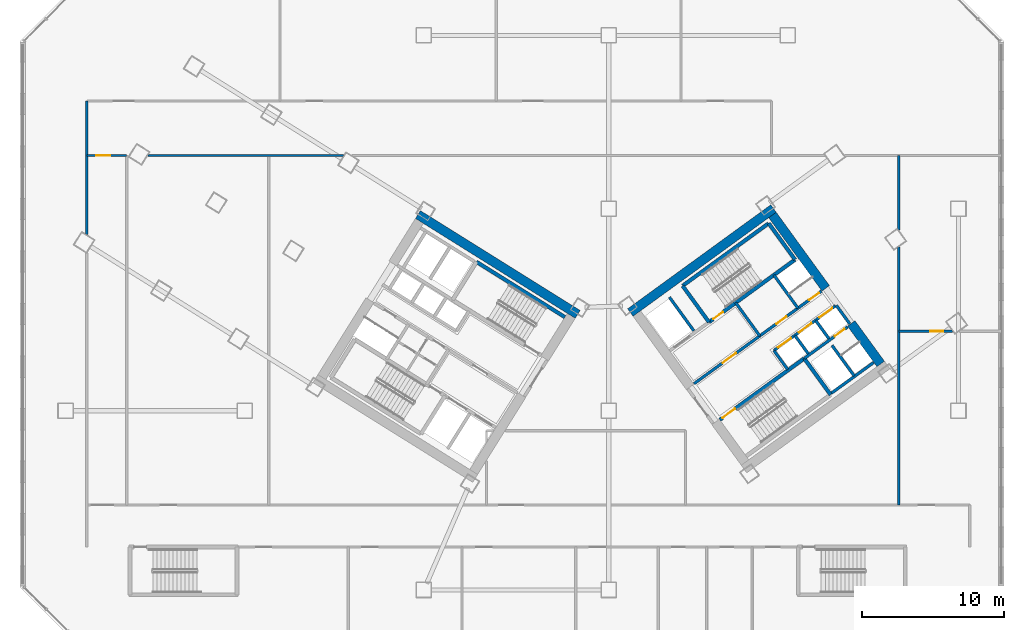
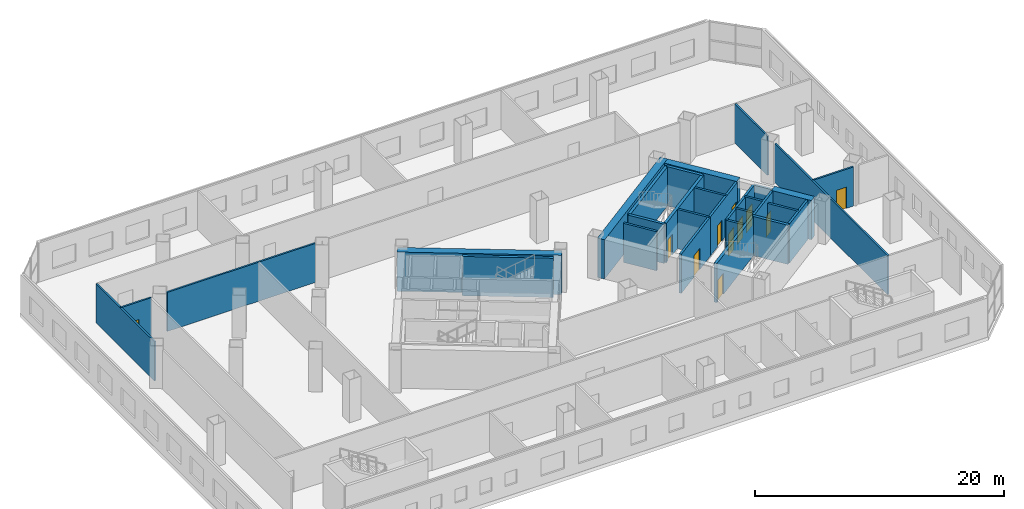
# One storey, part 13 of 22: 30 walls, 11 doors, 11 openings.
"""IFC4 building model written with IfcOpenShell, lengths in metres."""

import ifcopenshell
import ifcopenshell.guid

model = None  # the IFC model being written
_history = None  # IfcOwnerHistory: only IFC2X3 demands one
_inside = {}  # id of a spatial element -> (the spatial element, [elements in it])
_under = {}  # id of a project, library or spatial element -> (it, [spatial elements below it])
_declared = {}  # id of a project -> (the project, [libraries it declares])
_typed = {}  # id of a type object -> (the type object, [elements of that type])
_made_of = {}  # id of a material, layer set ... -> (it, [elements and type objects made of it])


def new_model(schema):
    """Start an empty IFC model of exactly this schema.

    Asked for "IFC4X3", IfcOpenShell would pick the latest addendum, in which some entities
    have other attributes; the version numbers below select the first issue.
    IFC2X3 requires an IfcOwnerHistory on every rooted entity: one is made here for all.
    """
    global model, _history
    if schema == "IFC4X3":
        model = ifcopenshell.file(schema_version=(4, 3, 0, 0))
    else:
        model = ifcopenshell.file(schema=schema)
    _inside.clear()
    _under.clear()
    _declared.clear()
    _typed.clear()
    _made_of.clear()
    _history = None
    if model.schema == "IFC2X3":
        org = make("IfcOrganization", Name="unknown")
        user = make(
            "IfcPersonAndOrganization",
            ThePerson=make("IfcPerson", FamilyName="unknown"),
            TheOrganization=org,
        )
        app = make(
            "IfcApplication",
            ApplicationDeveloper=org,
            Version="unknown",
            ApplicationFullName="unknown",
            ApplicationIdentifier="unknown",
        )
        _history = make(
            "IfcOwnerHistory",
            OwningUser=user,
            OwningApplication=app,
            ChangeAction="ADDED",
            CreationDate=0,
        )
    return model


def make(cls, **values):
    """One entity of the class cls with the attributes given. An attribute that is None is left unset."""
    return model.create_entity(
        cls, **{name: value for name, value in values.items() if value is not None}
    )


def rooted(cls, **values):
    """An entity with a GlobalId (a new one), such as an element, a storey or a relation."""
    return make(cls, GlobalId=ifcopenshell.guid.new(), OwnerHistory=_history, **values)


def si_unit(unit_type, name, prefix=None):
    """IfcSIUnit, for example si_unit("LENGTHUNIT", "METRE", prefix="MILLI")."""
    return make("IfcSIUnit", UnitType=unit_type, Prefix=prefix, Name=name)


def assignment(units):
    """IfcUnitAssignment: the units of a project."""
    return None if units is None else make("IfcUnitAssignment", Units=units)


def point(xyz):
    """IfcCartesianPoint."""
    return None if xyz is None else make("IfcCartesianPoint", Coordinates=xyz)


def direction(xyz):
    """IfcDirection."""
    return None if xyz is None else make("IfcDirection", DirectionRatios=xyz)


def frame(location, z_axis=None, x_axis=None):
    """IfcAxis2Placement3D, a coordinate frame: its origin and axes. An axis left out is left unset."""
    return make(
        "IfcAxis2Placement3D",
        Location=point(location),
        Axis=direction(z_axis),
        RefDirection=direction(x_axis),
    )


def frame_2d(location, x_axis=None):
    """IfcAxis2Placement2D, a coordinate frame in the plane: its origin and x axis."""
    return make(
        "IfcAxis2Placement2D", Location=point(location), RefDirection=direction(x_axis)
    )


def origin():
    """The frame at (0, 0, 0) with its axes left unset."""
    return frame((0.0, 0.0, 0.0))


def place(relative_to, where):
    """IfcLocalPlacement: puts the frame where relative to a parent placement (None: the world)."""
    return make(
        "IfcLocalPlacement", PlacementRelTo=relative_to, RelativePlacement=where
    )


def context(
    kind, dimensions, precision=None, world=None, true_north=None, identifier=None
):
    """IfcGeometricRepresentationContext, for example the 3D "Model" context."""
    return make(
        "IfcGeometricRepresentationContext",
        ContextIdentifier=identifier,
        ContextType=kind,
        CoordinateSpaceDimension=dimensions,
        Precision=precision,
        WorldCoordinateSystem=world,
        TrueNorth=true_north,
    )


def subcontext(parent, identifier, kind, view, scale=None):
    """IfcGeometricRepresentationSubContext, for example "Body" below "Model"."""
    return make(
        "IfcGeometricRepresentationSubContext",
        ContextIdentifier=identifier,
        ContextType=kind,
        ParentContext=parent,
        TargetScale=scale,
        TargetView=view,
    )


def project(units=None, contexts=None):
    """IfcProject with its units and contexts."""
    return rooted(
        "IfcProject",
        Name="project",
        RepresentationContexts=contexts,
        UnitsInContext=assignment(units),
    )


def spatial(cls, under=None, at=None, **own):
    """A site, building, storey or space (cls), placed at a placement, below another one or the project."""
    s = rooted(cls, ObjectPlacement=at, **own)
    if under is not None:
        _under.setdefault(under.id(), (under, []))[1].append(s)
    return s


def profile(cls, at=None, kind="AREA", **sizes):
    """A parametric profile (cls). Its sizes go by their IFC names, for example OverallWidth=200.0."""
    return make(cls, ProfileType=kind, Position=at, **sizes)


def rectangle(**sizes):
    """IfcRectangleProfileDef."""
    return profile("IfcRectangleProfileDef", **sizes)


def extrude(swept, where, along, depth):
    """IfcExtrudedAreaSolid: the profile swept, set in the frame where, extruded along a direction by depth."""
    return make(
        "IfcExtrudedAreaSolid",
        SweptArea=swept,
        Position=where,
        ExtrudedDirection=direction(along),
        Depth=depth,
    )


def shape(context_of_items, identifier, shape_type, items):
    """IfcShapeRepresentation: the items that make up one representation, for example the "Body"."""
    return make(
        "IfcShapeRepresentation",
        ContextOfItems=context_of_items,
        RepresentationIdentifier=identifier,
        RepresentationType=shape_type,
        Items=items,
    )


def source(mapping_origin, context_of_items, identifier, shape_type, items):
    """IfcRepresentationMap: a shape defined once, which mapped items show again and again."""
    return make(
        "IfcRepresentationMap",
        MappingOrigin=mapping_origin,
        MappedRepresentation=shape(context_of_items, identifier, shape_type, items),
    )


def transform(
    local_origin,
    x_axis=None,
    y_axis=None,
    z_axis=None,
    scale=None,
    scale2=None,
    scale3=None,
    uniform=True,
):
    """IfcCartesianTransformationOperator3D, or its non-uniform kind. x_axis, y_axis, z_axis: its Axis1, 2, 3."""
    if uniform:
        return make(
            "IfcCartesianTransformationOperator3D",
            Axis1=direction(x_axis),
            Axis2=direction(y_axis),
            LocalOrigin=point(local_origin),
            Scale=scale,
            Axis3=direction(z_axis),
        )
    return make(
        "IfcCartesianTransformationOperator3DnonUniform",
        Axis1=direction(x_axis),
        Axis2=direction(y_axis),
        LocalOrigin=point(local_origin),
        Scale=scale,
        Axis3=direction(z_axis),
        Scale2=scale2,
        Scale3=scale3,
    )


def mapped(mapping_source, mapping_target):
    """IfcMappedItem: shows the shape of a source again, moved by a transform."""
    return make(
        "IfcMappedItem", MappingSource=mapping_source, MappingTarget=mapping_target
    )


def material(Name=None, Category=None):
    """IfcMaterial."""
    return make("IfcMaterial", Name=Name, Category=Category)


def layer(
    of_material, thickness, ventilated=None, Name=None, Category=None, Priority=None
):
    """IfcMaterialLayer: one layer of a wall or slab, of a material (None: an air gap)."""
    return make(
        "IfcMaterialLayer",
        Material=of_material,
        LayerThickness=thickness,
        IsVentilated=ventilated,
        Name=Name,
        Category=Category,
        Priority=Priority,
    )


def layer_set(layers, Name=None):
    """IfcMaterialLayerSet."""
    return make("IfcMaterialLayerSet", MaterialLayers=layers, LayerSetName=Name)


def made_of(thing, what):
    """Note that an element or type object is made of a material, layer set ...; save() writes the relation."""
    if what is not None:
        _made_of.setdefault(what.id(), (what, []))[1].append(thing)
    return thing


def type_object(cls, material=None, **own):
    """A type object (cls), such as IfcWallType, which elements share."""
    return made_of(rooted(cls, **own), material)


def element(
    cls,
    number,
    at=None,
    inside=None,
    cuts=None,
    type_object=None,
    material=None,
    context=None,
    identifier="Body",
    shape_type=None,
    held_by="IfcProductDefinitionShape",
    body=None,
    shapes=None,
    **own,
):
    """One element of the class cls, such as IfcWall. Its Tag is "e" and its number.

    at: its placement. inside: the storey or other place that contains it. cuts: it is an
    opening in that element (IfcRelVoidsElement). A single representation is given by context,
    identifier, shape_type and body (its items); several are given by shapes. held_by: the class
    of the entity that holds the representations. save() writes the other relations.
    """
    e = rooted(cls, Tag="e%d" % number, ObjectPlacement=at, **own)
    if body is not None:
        shapes = [shape(context, identifier, shape_type, body)]
    if shapes is not None:
        e.Representation = make(held_by, Representations=shapes)
    if inside is not None:
        _inside.setdefault(inside.id(), (inside, []))[1].append(e)
    if cuts is not None:
        rooted(
            "IfcRelVoidsElement", RelatingBuildingElement=cuts, RelatedOpeningElement=e
        )
    if type_object is not None:
        _typed.setdefault(type_object.id(), (type_object, []))[1].append(e)
    return made_of(e, material)


def fill(opening, filler):
    """IfcRelFillsElement: the door or window that sits in an opening."""
    return rooted(
        "IfcRelFillsElement",
        RelatingOpeningElement=opening,
        RelatedBuildingElement=filler,
    )


def aggregate(whole, parts):
    """IfcRelAggregates: a whole, such as a stair, and the parts it consists of."""
    return rooted("IfcRelAggregates", RelatingObject=whole, RelatedObjects=parts)


def save(model, path):
    """Write the relations noted so far, then the file.

    IfcRelAggregates (storeys below a building ...), IfcRelContainedInSpatialStructure (elements
    in a storey), IfcRelDefinesByType, IfcRelAssociatesMaterial and IfcRelDeclares: one each for
    every whole, place, type object, material and project.
    """
    for whole, parts in _under.values():
        aggregate(whole, parts)
    for where, things in _inside.values():
        rooted(
            "IfcRelContainedInSpatialStructure",
            RelatedElements=things,
            RelatingStructure=where,
        )
    for kind, things in _typed.values():
        rooted("IfcRelDefinesByType", RelatedObjects=things, RelatingType=kind)
    for what, things in _made_of.values():
        rooted("IfcRelAssociatesMaterial", RelatedObjects=things, RelatingMaterial=what)
    for by, libraries in _declared.values():
        rooted("IfcRelDeclares", RelatingContext=by, RelatedDefinitions=libraries)
    model.write(path)


model = new_model("IFC4")

# Units and contexts
model_context = context("Model", 3, precision=1e-05, world=origin(), true_north=direction((0.0, 1.0)))
body_context = subcontext(model_context, "Body", "Model", "MODEL_VIEW")
ifc_project = project(units=[si_unit("LENGTHUNIT", "METRE"), si_unit("AREAUNIT", "SQUARE_METRE"), si_unit("VOLUMEUNIT", "CUBIC_METRE"), si_unit("PLANEANGLEUNIT", "RADIAN"), si_unit("MASSUNIT", "GRAM", prefix="KILO")], contexts=[model_context])

# Site, building, storey
site_placement = place(None, origin())
site = spatial("IfcSite", under=ifc_project, at=site_placement, CompositionType="ELEMENT")
building_placement = place(site_placement, origin())
building = spatial("IfcBuilding", under=site, at=building_placement, Name="Tlacorven Tower", CompositionType="ELEMENT")
storey_placement = place(building_placement, frame((0.0, 0.0, 14.39990234375)))
storey = spatial("IfcBuildingStorey", under=building, at=storey_placement, Name="L03", CompositionType="ELEMENT", Elevation=14.39990234375)

# Walls
ifc_material_1 = material(Name="Concrete C60/75", Category="concrete")
ifc_layer_1 = layer(ifc_material_1, 0.64990234375)
ifc_layer_set_1 = layer_set([ifc_layer_1], Name="Concrete C60/75")
wall_type_1 = type_object("IfcWallType", Name="WL-COR-650", PredefinedType="SHEAR", material=ifc_layer_set_1)
wall_1_placement = place(storey_placement, frame((40.615478515625, 23.9833984375, 0.0), z_axis=(0.0, 0.0, 1.0), x_axis=(-0.848045953968, 0.529922692436, 0.0)))
element("IfcWall", 1, at=wall_1_placement, inside=storey, type_object=wall_type_1, Name="L03 W core shear wall S1", PredefinedType="SHEAR", context=body_context, shape_type="SweptSolid", body=[
    extrude(rectangle(XDim=13.239990234375, YDim=0.64990234375, at=frame_2d((6.6201171875, 0.0))), origin(), (0.0, 0.0, 1.0), 3.85009765625),
])
wall_2_placement = place(storey_placement, frame((44.32470703125, 24.113037109375, 0.0), z_axis=(0.0, 0.0, 1.0), x_axis=(0.809012664862, 0.58779121131, 0.0)))
element("IfcWall", 2, at=wall_2_placement, inside=storey, type_object=wall_type_1, Name="L03 E core shear wall S2", PredefinedType="SHEAR", context=body_context, shape_type="SweptSolid", body=[
    extrude(rectangle(XDim=12.439697265625, YDim=0.64990234375, at=frame_2d((6.2197265625, 0.0))), origin(), (0.0, 0.0, 1.0), 3.85009765625),
])
wall_3_placement = place(storey_placement, frame((61.9287109375, 20.494384765625, 0.0), z_axis=(0.0, 0.0, 1.0), x_axis=(-0.58782982593, 0.808984607855, 0.0)))
element("IfcWall", 3, at=wall_3_placement, inside=storey, type_object=wall_type_1, Name="L03 E core end wall E2.1", PredefinedType="SHEAR", context=body_context, shape_type="SweptSolid", body=[
    extrude(rectangle(XDim=3.52490234375, YDim=0.64990234375, at=frame_2d((1.762451171875, 0.0))), origin(), (0.0, 0.0, 1.0), 3.85009765625),
])
wall_4_placement = place(storey_placement, frame((58.06396484375, 25.8134765625, 0.0), z_axis=(0.0, 0.0, 1.0), x_axis=(-0.58777996584, 0.809020835181, 0.0)))
element("IfcWall", 4, at=wall_4_placement, inside=storey, type_object=wall_type_1, Name="L03 E core end wall E2.2", PredefinedType="SHEAR", context=body_context, shape_type="SweptSolid", body=[
    extrude(rectangle(XDim=6.375, YDim=0.64990234375, at=frame_2d((3.1875, 0.0))), origin(), (0.0, 0.0, 1.0), 3.85009765625),
])
ifc_material_2 = material(Name="Gypsum plasterboard acoustic partition", Category="gypsum")
ifc_layer_2 = layer(ifc_material_2, 0.159912109375)
ifc_layer_set_2 = layer_set([ifc_layer_2], Name="Gypsum plasterboard acoustic partition")
wall_type_2 = type_object("IfcWallType", Name="WL-DEM-160", PredefinedType="PARTITIONING", material=ifc_layer_set_2)
wall_5_placement = place(storey_placement, frame((6.10009765625, 29.58740234375, 0.0), z_axis=(0.0, 0.0, 1.0), x_axis=(0.0, 1.0, 0.0)))
element("IfcWall", 5, at=wall_5_placement, inside=storey, type_object=wall_type_2, Name="L03 partition 75", PredefinedType="PARTITIONING", context=body_context, shape_type="SweptSolid", body=[
    extrude(rectangle(XDim=9.41259765625, YDim=0.159912109375, at=frame_2d((4.706298828125, 0.0))), origin(), (0.0, 0.0, 1.0), 3.840087890625),
])
wall_6_placement = place(storey_placement, frame((10.386474609375, 35.14990234375, 0.0), z_axis=(0.0, 0.0, 1.0), x_axis=(1.0, 0.0, 0.0)))
element("IfcWall", 6, at=wall_6_placement, inside=storey, type_object=wall_type_2, Name="L03 partition 77", PredefinedType="PARTITIONING", context=body_context, shape_type="SweptSolid", body=[
    extrude(rectangle(XDim=13.76806640625, YDim=0.159912109375, at=frame_2d((6.884033203125, 0.0))), origin(), (0.0, 0.0, 1.0), 3.840087890625),
])

# Wall, opening, door
wall_7_placement = place(storey_placement, frame((6.10009765625, 35.14990234375, 0.0), z_axis=(0.0, 0.0, 1.0), x_axis=(1.0, 0.0, 0.0)))
wall_7 = element("IfcWall", 7, at=wall_7_placement, inside=storey, type_object=wall_type_2, Name="L03 partition 80", PredefinedType="PARTITIONING", context=body_context, shape_type="SweptSolid", body=[
    extrude(rectangle(XDim=2.7998046875, YDim=0.159912109375, at=frame_2d((1.39990234375, 0.0))), origin(), (0.0, 0.0, 1.0), 3.840087890625),
])
opening_1_placement = place(wall_7_placement, frame((0.64990234375, 0.0, 0.0)))
opening_1 = element("IfcOpeningElement", 8, at=opening_1_placement, cuts=wall_7, Name="Opening D11", PredefinedType="OPENING", context=body_context, shape_type="SweptSolid", body=[
    extrude(rectangle(XDim=1.0, YDim=2.10009765625, at=frame_2d((0.5, 1.050048828125))), frame((0.0, 0.08984375, 0.0), z_axis=(0.0, -1.0, 0.0), x_axis=(1.0, 0.0, 0.0)), (0.0, 0.0, 1.0), 0.179931640625),
])
ifc_material_3 = material(Name="Fire-rated steel door assembly", Category="steel")
door_type_1 = type_object("IfcDoorType", Name="DR-FLT-FD60-1000", OperationType="NOTDEFINED", PredefinedType="DOOR", material=ifc_material_3)
shared_shape_1 = source(origin(), body_context, "Body", "SweptSolid", [
    extrude(rectangle(XDim=1.0, YDim=2.10009765625, at=frame_2d((0.5, 1.050048828125))), frame((0.0, 0.02490234375, 0.0), z_axis=(0.0, -1.0, 0.0), x_axis=(1.0, 0.0, 0.0)), (0.0, 0.0, 1.0), 0.050048828125),
])
door_1_placement = place(opening_1_placement, origin())
door_1 = element("IfcDoor", 9, at=door_1_placement, inside=storey, type_object=door_type_1, Name="L03 door 034", OperationType="SINGLE_SWING_RIGHT", OverallHeight=2.10009765625, OverallWidth=1.0, PredefinedType="DOOR", context=body_context, shape_type="MappedRepresentation", body=[
    mapped(shared_shape_1, transform((0.0, 0.0, 0.0), scale=1.0)),
])
fill(opening_1, door_1)

# Walls
wall_8_placement = place(storey_placement, frame((63.199951171875, 10.580078125, 0.0), z_axis=(0.0, 0.0, 1.0), x_axis=(0.0, 1.0, 0.0)))
element("IfcWall", 10, at=wall_8_placement, inside=storey, type_object=wall_type_2, Name="L03 partition 85", PredefinedType="PARTITIONING", context=body_context, shape_type="SweptSolid", body=[
    extrude(rectangle(XDim=18.146728515625, YDim=0.159912109375, at=frame_2d((9.0732421875, 0.0))), origin(), (0.0, 0.0, 1.0), 3.840087890625),
])
wall_9_placement = place(storey_placement, frame((63.199951171875, 29.908447265625, 0.0), z_axis=(0.0, 0.0, 1.0), x_axis=(0.0, 1.0, 0.0)))
element("IfcWall", 11, at=wall_9_placement, inside=storey, type_object=wall_type_2, Name="L03 partition 85", PredefinedType="PARTITIONING", context=body_context, shape_type="SweptSolid", body=[
    extrude(rectangle(XDim=5.241455078125, YDim=0.159912109375, at=frame_2d((2.62060546875, 0.0))), origin(), (0.0, 0.0, 1.0), 3.840087890625),
])

# Wall, opening, door
wall_10_placement = place(storey_placement, frame((63.199951171875, 22.800048828125, 0.0), z_axis=(0.0, 0.0, 1.0), x_axis=(1.0, 0.0, 0.0)))
wall_10 = element("IfcWall", 12, at=wall_10_placement, inside=storey, type_object=wall_type_2, Name="L03 partition 88", PredefinedType="PARTITIONING", context=body_context, shape_type="SweptSolid", body=[
    extrude(rectangle(XDim=3.775390625, YDim=0.159912109375, at=frame_2d((1.8876953125, 0.0))), origin(), (0.0, 0.0, 1.0), 3.840087890625),
])
opening_2_placement = place(wall_10_placement, frame((2.199951171875, 0.0, 0.0)))
opening_2 = element("IfcOpeningElement", 13, at=opening_2_placement, cuts=wall_10, Name="Opening D12", PredefinedType="OPENING", context=body_context, shape_type="SweptSolid", body=[
    extrude(rectangle(XDim=0.919921875, YDim=2.080078125, at=frame_2d((0.4599609375, 1.0400390625))), frame((0.0, 0.08984375, 0.0), z_axis=(0.0, -1.0, 0.0), x_axis=(1.0, 0.0, 0.0)), (0.0, 0.0, 1.0), 0.179931640625),
])
ifc_material_4 = material(Name="Powder-coated aluminium and timber door", Category="wood")
door_type_2 = type_object("IfcDoorType", Name="DR-INT-ROOM-0920", OperationType="NOTDEFINED", PredefinedType="DOOR", material=ifc_material_4)
shared_shape_2 = source(origin(), body_context, "Body", "SweptSolid", [
    extrude(rectangle(XDim=0.919921875, YDim=2.080078125, at=frame_2d((0.4599609375, 1.0400390625))), frame((0.0, 0.02490234375, 0.0), z_axis=(0.0, -1.0, 0.0), x_axis=(1.0, 0.0, 0.0)), (0.0, 0.0, 1.0), 0.050048828125),
])
door_2_placement = place(opening_2_placement, origin())
door_2 = element("IfcDoor", 14, at=door_2_placement, inside=storey, type_object=door_type_2, Name="L03 door 041", OperationType="SINGLE_SWING_LEFT", OverallHeight=2.080078125, OverallWidth=0.919921875, PredefinedType="DOOR", context=body_context, shape_type="MappedRepresentation", body=[
    mapped(shared_shape_2, transform((0.0, 0.0, 0.0), scale=1.0)),
])
fill(opening_2, door_2)

ifc_material_5 = material(Name="Concrete C40/50", Category="concrete")
ifc_layer_3 = layer(ifc_material_5, 0.199951171875)
ifc_layer_set_3 = layer_set([ifc_layer_3], Name="Concrete C40/50")
wall_type_3 = type_object("IfcWallType", Name="WL-SHF-200", PredefinedType="STANDARD", material=ifc_layer_set_3)
wall_11_placement = place(storey_placement, frame((48.798828125, 19.106689453125, 0.0), z_axis=(0.0, 0.0, 1.0), x_axis=(0.809012959416, 0.587790805897, 0.0)))
wall_11 = element("IfcWall", 15, at=wall_11_placement, inside=storey, type_object=wall_type_3, Name="L03 Core E Smoke Lobby Wall", PredefinedType="STANDARD", context=body_context, shape_type="SweptSolid", body=[
    extrude(rectangle(XDim=5.7177734375, YDim=0.199951171875, at=frame_2d((2.85888671875, 0.0))), origin(), (0.0, 0.0, 1.0), 3.840087890625),
])
opening_3_placement = place(wall_11_placement, frame((2.498046875, 0.0, 0.0)))
opening_3 = element("IfcOpeningElement", 16, at=opening_3_placement, cuts=wall_11, Name="Opening D09", PredefinedType="OPENING", context=body_context, shape_type="SweptSolid", body=[
    extrude(rectangle(XDim=1.14990234375, YDim=2.10009765625, at=frame_2d((0.574951171875, 1.050048828125))), frame((0.0, 0.10986328125, 0.0), z_axis=(0.0, -1.0, 0.0), x_axis=(1.0, 0.0, 0.0)), (0.0, 0.0, 1.0), 0.219970703125),
])
door_type_3 = type_object("IfcDoorType", Name="DR-FFL-FD60-1150", OperationType="NOTDEFINED", PredefinedType="DOOR", material=ifc_material_3)
shared_shape_3 = source(origin(), body_context, "Body", "SweptSolid", [
    extrude(rectangle(XDim=1.14990234375, YDim=2.10009765625, at=frame_2d((0.574951171875, 1.050048828125))), frame((0.0, 0.02490234375, 0.0), z_axis=(0.0, -1.0, 0.0), x_axis=(1.0, 0.0, 0.0)), (0.0, 0.0, 1.0), 0.050048828125),
])
door_3_placement = place(opening_3_placement, origin())
door_3 = element("IfcDoor", 17, at=door_3_placement, inside=storey, type_object=door_type_3, Name="L03 Firefighting Lobby E Fire Door", OperationType="SINGLE_SWING_LEFT", OverallHeight=2.10009765625, OverallWidth=1.14990234375, PredefinedType="DOOR", context=body_context, shape_type="MappedRepresentation", body=[
    mapped(shared_shape_3, transform((0.0, 0.0, 0.0), scale=1.0)),
])
fill(opening_3, door_3)

wall_12_placement = place(storey_placement, frame((56.552978515625, 20.884033203125, 0.0), z_axis=(0.0, 0.0, 1.0), x_axis=(0.809035789462, 0.587759382205, 0.0)))
wall_12 = element("IfcWall", 18, at=wall_12_placement, inside=storey, type_object=wall_type_3, Name="L03 Core E South Lift Shaft Wall", PredefinedType="STANDARD", context=body_context, shape_type="SweptSolid", body=[
    extrude(rectangle(XDim=3.767822265625, YDim=0.199951171875, at=frame_2d((1.8837890625, 0.0))), origin(), (0.0, 0.0, 1.0), 3.840087890625),
])
opening_4_placement = place(wall_12_placement, frame((2.64990234375, 0.0, 0.0)))
opening_4 = element("IfcOpeningElement", 19, at=opening_4_placement, cuts=wall_12, Name="Opening D19", PredefinedType="OPENING", context=body_context, shape_type="SweptSolid", body=[
    extrude(rectangle(XDim=0.860107421875, YDim=2.050048828125, at=frame_2d((0.43017578125, 1.02490234375))), frame((0.0, 0.10986328125, 0.0), z_axis=(0.0, -1.0, 0.0), x_axis=(1.0, 0.0, 0.0)), (0.0, 0.0, 1.0), 0.219970703125),
])
door_type_4 = type_object("IfcDoorType", Name="DR-RSR-FD60-0860", OperationType="NOTDEFINED", PredefinedType="DOOR", material=ifc_material_3)
shared_shape_4 = source(origin(), body_context, "Body", "SweptSolid", [
    extrude(rectangle(XDim=0.860107421875, YDim=2.050048828125, at=frame_2d((0.43017578125, 1.02490234375))), frame((0.0, 0.02490234375, 0.0), z_axis=(0.0, -1.0, 0.0), x_axis=(1.0, 0.0, 0.0)), (0.0, 0.0, 1.0), 0.050048828125),
])
door_4_placement = place(opening_4_placement, origin())
door_4 = element("IfcDoor", 20, at=door_4_placement, inside=storey, type_object=door_type_4, Name="L03 Smoke Extract Riser Access Door", OperationType="SINGLE_SWING_RIGHT", OverallHeight=2.050048828125, OverallWidth=0.860107421875, PredefinedType="DOOR", context=body_context, shape_type="MappedRepresentation", body=[
    mapped(shared_shape_4, transform((0.0, 0.0, 0.0), scale=1.0)),
])
fill(opening_4, door_4)

# Wall, openings, doors
wall_13_placement = place(storey_placement, frame((54.421142578125, 21.436279296875, 0.0), z_axis=(0.0, 0.0, 1.0), x_axis=(0.809013710463, 0.587789772183, 0.0)))
wall_13 = element("IfcWall", 21, at=wall_13_placement, inside=storey, type_object=wall_type_3, Name="L03 partition 39", PredefinedType="STANDARD", context=body_context, shape_type="SweptSolid", body=[
    extrude(rectangle(XDim=5.360107421875, YDim=0.199951171875, at=frame_2d((2.68017578125, 0.0))), origin(), (0.0, 0.0, 1.0), 3.840087890625),
])
opening_5_placement = place(wall_13_placement, frame((0.3701171875, 0.0, 0.0)))
opening_5 = element("IfcOpeningElement", 22, at=opening_5_placement, cuts=wall_13, Name="Opening LD01", PredefinedType="OPENING", context=body_context, shape_type="SweptSolid", body=[
    extrude(rectangle(XDim=1.10009765625, YDim=2.14990234375, at=frame_2d((0.550048828125, 1.074951171875))), frame((0.0, 0.10986328125, 0.0), z_axis=(0.0, -1.0, 0.0), x_axis=(1.0, 0.0, 0.0)), (0.0, 0.0, 1.0), 0.219970703125),
])
opening_6_placement = place(wall_13_placement, frame((2.169921875, 0.0, 0.0)))
opening_6 = element("IfcOpeningElement", 23, at=opening_6_placement, cuts=wall_13, Name="Opening LD01", PredefinedType="OPENING", context=body_context, shape_type="SweptSolid", body=[
    extrude(rectangle(XDim=1.10009765625, YDim=2.14990234375, at=frame_2d((0.550048828125, 1.074951171875))), frame((0.0, 0.10986328125, 0.0), z_axis=(0.0, -1.0, 0.0), x_axis=(1.0, 0.0, 0.0)), (0.0, 0.0, 1.0), 0.219970703125),
])
opening_7_placement = place(wall_13_placement, frame((3.969970703125, 0.0, 0.0)))
opening_7 = element("IfcOpeningElement", 24, at=opening_7_placement, cuts=wall_13, Name="Opening LD01", PredefinedType="OPENING", context=body_context, shape_type="SweptSolid", body=[
    extrude(rectangle(XDim=1.10009765625, YDim=2.14990234375, at=frame_2d((0.550048828125, 1.074951171875))), frame((0.0, 0.10986328125, 0.0), z_axis=(0.0, -1.0, 0.0), x_axis=(1.0, 0.0, 0.0)), (0.0, 0.0, 1.0), 0.219970703125),
])
door_type_5 = type_object("IfcDoorType", Name="DR-LFT-SLID-1100", OperationType="DOUBLE_DOOR_SLIDING", PredefinedType="DOOR", material=ifc_material_3)
shared_shape_5 = source(origin(), body_context, "Body", "SweptSolid", [
    extrude(rectangle(XDim=1.10009765625, YDim=2.14990234375, at=frame_2d((0.550048828125, 1.074951171875))), frame((0.0, 0.02490234375, 0.0), z_axis=(0.0, -1.0, 0.0), x_axis=(1.0, 0.0, 0.0)), (0.0, 0.0, 1.0), 0.050048828125),
])
door_5_placement = place(opening_5_placement, origin())
door_5 = element("IfcDoor", 25, at=door_5_placement, inside=storey, type_object=door_type_5, Name="L03 Lift PL-L1 Sliding Landing Door", OperationType="DOUBLE_DOOR_SLIDING", OverallHeight=2.14990234375, OverallWidth=1.10009765625, PredefinedType="DOOR", context=body_context, shape_type="MappedRepresentation", body=[
    mapped(shared_shape_5, transform((0.0, 0.0, 0.0), scale=1.0)),
])
fill(opening_5, door_5)
door_6_placement = place(opening_6_placement, origin())
door_6 = element("IfcDoor", 26, at=door_6_placement, inside=storey, type_object=door_type_5, Name="L03 Lift PL-L2 Sliding Landing Door", OperationType="DOUBLE_DOOR_SLIDING", OverallHeight=2.14990234375, OverallWidth=1.10009765625, PredefinedType="DOOR", context=body_context, shape_type="MappedRepresentation", body=[
    mapped(shared_shape_5, transform((0.0, 0.0, 0.0), scale=1.0)),
])
fill(opening_6, door_6)
door_7_placement = place(opening_7_placement, origin())
door_7 = element("IfcDoor", 27, at=door_7_placement, inside=storey, type_object=door_type_5, Name="L03 Lift PL-L3 Sliding Landing Door", OperationType="DOUBLE_DOOR_SLIDING", OverallHeight=2.14990234375, OverallWidth=1.10009765625, PredefinedType="DOOR", context=body_context, shape_type="MappedRepresentation", body=[
    mapped(shared_shape_5, transform((0.0, 0.0, 0.0), scale=1.0)),
])
fill(opening_7, door_7)

# Walls
wall_14_placement = place(storey_placement, frame((55.390869140625, 20.1015625, 0.0), z_axis=(0.0, 0.0, 1.0), x_axis=(-0.58778447739, 0.809017557374, 0.0)))
element("IfcWall", 28, at=wall_14_placement, inside=storey, type_object=wall_type_3, Name="L03 partition 40", PredefinedType="STANDARD", context=body_context, shape_type="SweptSolid", body=[
    extrude(rectangle(XDim=1.64990234375, YDim=0.199951171875, at=frame_2d((0.824951171875, 0.0))), origin(), (0.0, 0.0, 1.0), 3.840087890625),
])
wall_15_placement = place(storey_placement, frame((48.78564453125, 22.830078125, 0.0), z_axis=(0.0, 0.0, 1.0), x_axis=(-0.587783856777, 0.809018008275, 0.0)))
element("IfcWall", 29, at=wall_15_placement, inside=storey, type_object=wall_type_3, Name="L03 partition 41", PredefinedType="STANDARD", context=body_context, shape_type="SweptSolid", body=[
    extrude(rectangle(XDim=2.919921875, YDim=0.199951171875, at=frame_2d((1.4599609375, 0.0))), origin(), (0.0, 0.0, 1.0), 3.840087890625),
])
wall_16_placement = place(storey_placement, frame((56.833984375, 21.211669921875, 0.0), z_axis=(0.0, 0.0, 1.0), x_axis=(-0.58776738483, 0.809029975545, 0.0)))
element("IfcWall", 30, at=wall_16_placement, inside=storey, type_object=wall_type_3, Name="L03 partition 42", PredefinedType="STANDARD", context=body_context, shape_type="SweptSolid", body=[
    extrude(rectangle(XDim=1.580078125, YDim=0.199951171875, at=frame_2d((0.7900390625, 0.0))), origin(), (0.0, 0.0, 1.0), 3.840087890625),
])
wall_17_placement = place(storey_placement, frame((58.290283203125, 22.269775390625, 0.0), z_axis=(0.0, 0.0, 1.0), x_axis=(-0.587840865826, 0.808976585857, 0.0)))
element("IfcWall", 31, at=wall_17_placement, inside=storey, type_object=wall_type_3, Name="L03 partition 43", PredefinedType="STANDARD", context=body_context, shape_type="SweptSolid", body=[
    extrude(rectangle(XDim=1.579833984375, YDim=0.199951171875, at=frame_2d((0.7900390625, 0.0))), origin(), (0.0, 0.0, 1.0), 3.840087890625),
])
wall_18_placement = place(storey_placement, frame((59.75830078125, 23.3115234375, 0.0), z_axis=(0.0, 0.0, 1.0), x_axis=(-0.587875962906, 0.808951081486, 0.0)))
element("IfcWall", 32, at=wall_18_placement, inside=storey, type_object=wall_type_3, Name="L03 partition 44", PredefinedType="STANDARD", context=body_context, shape_type="SweptSolid", body=[
    extrude(rectangle(XDim=1.6201171875, YDim=0.199951171875, at=frame_2d((0.81005859375, 0.0))), origin(), (0.0, 0.0, 1.0), 3.840087890625),
])
wall_19_placement = place(storey_placement, frame((60.066650390625, 19.654541015625, 0.0), z_axis=(0.0, 0.0, 1.0), x_axis=(-0.587800520745, 0.809005900975, 0.0)))
element("IfcWall", 33, at=wall_19_placement, inside=storey, type_object=wall_type_3, Name="L03 partition 45", PredefinedType="STANDARD", context=body_context, shape_type="SweptSolid", body=[
    extrude(rectangle(XDim=2.659912109375, YDim=0.199951171875, at=frame_2d((1.330078125, 0.0))), origin(), (0.0, 0.0, 1.0), 3.840087890625),
])
wall_20_placement = place(storey_placement, frame((58.47216796875, 18.446533203125, 0.0), z_axis=(0.0, 0.0, 1.0), x_axis=(0.809022487728, 0.587777691266, 0.0)))
element("IfcWall", 34, at=wall_20_placement, inside=storey, type_object=wall_type_3, Name="L03 partition 47", PredefinedType="STANDARD", context=body_context, shape_type="SweptSolid", body=[
    extrude(rectangle(XDim=3.648193359375, YDim=0.199951171875, at=frame_2d((1.82421875, 0.0))), origin(), (0.0, 0.0, 1.0), 3.840087890625),
])
wall_21_placement = place(storey_placement, frame((53.424560546875, 22.467529296875, 0.0), z_axis=(0.0, 0.0, 1.0), x_axis=(-0.5877230039, 0.809062216821, 0.0)))
element("IfcWall", 35, at=wall_21_placement, inside=storey, type_object=wall_type_3, Name="L03 partition 49", PredefinedType="STANDARD", context=body_context, shape_type="SweptSolid", body=[
    extrude(rectangle(XDim=2.8798828125, YDim=0.199951171875, at=frame_2d((1.43994140625, 0.0))), origin(), (0.0, 0.0, 1.0), 3.840087890625),
])
wall_22_placement = place(storey_placement, frame((56.110595703125, 24.4189453125, 0.0), z_axis=(0.0, 0.0, 1.0), x_axis=(-0.58777848983, 0.809021907548, 0.0)))
element("IfcWall", 36, at=wall_22_placement, inside=storey, type_object=wall_type_3, Name="L03 partition 50", PredefinedType="STANDARD", context=body_context, shape_type="SweptSolid", body=[
    extrude(rectangle(XDim=2.880126953125, YDim=0.199951171875, at=frame_2d((1.43994140625, 0.0))), origin(), (0.0, 0.0, 1.0), 3.840087890625),
])

# Wall, openings, doors
wall_23_placement = place(storey_placement, frame((53.424560546875, 22.467529296875, 0.0), z_axis=(0.0, 0.0, 1.0), x_axis=(0.80902705128, 0.587771409902, 0.0)))
wall_23 = element("IfcWall", 37, at=wall_23_placement, inside=storey, type_object=wall_type_3, Name="L03 Core E North Service Wall", PredefinedType="STANDARD", context=body_context, shape_type="SweptSolid", body=[
    extrude(rectangle(XDim=5.3681640625, YDim=0.199951171875, at=frame_2d((2.68408203125, 0.0))), origin(), (0.0, 0.0, 1.0), 3.840087890625),
])
opening_8_placement = place(wall_23_placement, frame((4.280029296875, 0.0, 0.0)))
opening_8 = element("IfcOpeningElement", 38, at=opening_8_placement, cuts=wall_23, Name="Opening D19", PredefinedType="OPENING", context=body_context, shape_type="SweptSolid", body=[
    extrude(rectangle(XDim=0.860107421875, YDim=2.050048828125, at=frame_2d((0.43017578125, 1.02490234375))), frame((0.0, 0.10986328125, 0.0), z_axis=(0.0, -1.0, 0.0), x_axis=(1.0, 0.0, 0.0)), (0.0, 0.0, 1.0), 0.219970703125),
])
opening_9_placement = place(wall_23_placement, frame((1.449951171875, 0.0, 0.0)))
opening_9 = element("IfcOpeningElement", 39, at=opening_9_placement, cuts=wall_23, Name="Opening D19", PredefinedType="OPENING", context=body_context, shape_type="SweptSolid", body=[
    extrude(rectangle(XDim=0.860107421875, YDim=2.050048828125, at=frame_2d((0.43017578125, 1.02490234375))), frame((0.0, 0.10986328125, 0.0), z_axis=(0.0, -1.0, 0.0), x_axis=(1.0, 0.0, 0.0)), (0.0, 0.0, 1.0), 0.219970703125),
])
door_8_placement = place(opening_8_placement, frame((0.860107421875, 0.0, 0.0), z_axis=(0.0, 0.0, 1.0), x_axis=(-1.0, 0.0, 0.0)))
door_8 = element("IfcDoor", 40, at=door_8_placement, inside=storey, type_object=door_type_4, Name="L03 Electrical Riser Access Door E", OperationType="SINGLE_SWING_LEFT", OverallHeight=2.050048828125, OverallWidth=0.860107421875, PredefinedType="DOOR", context=body_context, shape_type="MappedRepresentation", body=[
    mapped(shared_shape_4, transform((0.0, 0.0, 0.0), scale=1.0)),
])
fill(opening_8, door_8)
door_9_placement = place(opening_9_placement, frame((0.860107421875, 0.0, 0.0), z_axis=(0.0, 0.0, 1.0), x_axis=(-1.0, 0.0, 0.0)))
door_9 = element("IfcDoor", 41, at=door_9_placement, inside=storey, type_object=door_type_4, Name="L03 Housekeeping Linen Access Door E", OperationType="SINGLE_SWING_RIGHT", OverallHeight=2.050048828125, OverallWidth=0.860107421875, PredefinedType="DOOR", context=body_context, shape_type="MappedRepresentation", body=[
    mapped(shared_shape_4, transform((0.0, 0.0, 0.0), scale=1.0)),
])
fill(opening_9, door_9)

# Walls
ifc_material_6 = material(Name="Concrete C50/60", Category="concrete")
ifc_layer_4 = layer(ifc_material_6, 0.260009765625)
ifc_layer_set_4 = layer_set([ifc_layer_4], Name="Concrete C50/60")
wall_type_4 = type_object("IfcWallType", Name="WL-STW-260", PredefinedType="SHEAR", material=ifc_layer_set_4)
wall_24_placement = place(storey_placement, frame((39.720947265625, 23.787841796875, 0.0), z_axis=(0.0, 0.0, 1.0), x_axis=(-0.848054434086, 0.529909121291, 0.0)))
element("IfcWall", 42, at=wall_24_placement, inside=storey, type_object=wall_type_4, Name="L03 Stair W2 Far Shear Wall", PredefinedType="SHEAR", context=body_context, shape_type="SweptSolid", body=[
    extrude(rectangle(XDim=7.330078125, YDim=0.260009765625, at=frame_2d((3.6650390625, 0.0))), origin(), (0.0, 0.0, 1.0), 3.85009765625),
])
wall_25_placement = place(storey_placement, frame((48.005615234375, 25.996337890625, 0.0), z_axis=(0.0, 0.0, 1.0), x_axis=(0.80901903764, 0.587782439969, 0.0)))
element("IfcWall", 43, at=wall_25_placement, inside=storey, type_object=wall_type_4, Name="L03 Stair E1 Far Shear Wall", PredefinedType="SHEAR", context=body_context, shape_type="SweptSolid", body=[
    extrude(rectangle(XDim=7.4599609375, YDim=0.260009765625, at=frame_2d((3.72998046875, 0.0))), origin(), (0.0, 0.0, 1.0), 3.85009765625),
])

# Wall, opening, door
wall_26_placement = place(storey_placement, frame((49.863037109375, 23.439697265625, 0.0), z_axis=(0.0, 0.0, 1.0), x_axis=(0.809003474932, 0.587803859759, 0.0)))
wall_26 = element("IfcWall", 44, at=wall_26_placement, inside=storey, type_object=wall_type_4, Name="L03 Stair E1 Lobby Shear Wall", PredefinedType="SHEAR", context=body_context, shape_type="SweptSolid", body=[
    extrude(rectangle(XDim=7.4599609375, YDim=0.260009765625, at=frame_2d((3.72998046875, 0.0))), origin(), (0.0, 0.0, 1.0), 3.85009765625),
])
opening_10_placement = place(wall_26_placement, frame((0.360107421875, 0.0, 0.0)))
opening_10 = element("IfcOpeningElement", 45, at=opening_10_placement, cuts=wall_26, Name="Opening D19", PredefinedType="OPENING", context=body_context, shape_type="SweptSolid", body=[
    extrude(rectangle(XDim=0.860107421875, YDim=2.050048828125, at=frame_2d((0.43017578125, 1.02490234375))), frame((0.0, 0.14013671875, 0.0), z_axis=(0.0, -1.0, 0.0), x_axis=(1.0, 0.0, 0.0)), (0.0, 0.0, 1.0), 0.280029296875),
])
door_10_placement = place(opening_10_placement, frame((0.860107421875, 0.0, 0.0), z_axis=(0.0, 0.0, 1.0), x_axis=(-1.0, 0.0, 0.0)))
door_10 = element("IfcDoor", 46, at=door_10_placement, inside=storey, type_object=door_type_4, Name="L03 Exit Stair E1 Fire Door", OperationType="SINGLE_SWING_LEFT", OverallHeight=2.050048828125, OverallWidth=0.860107421875, PredefinedType="DOOR", context=body_context, shape_type="MappedRepresentation", body=[
    mapped(shared_shape_4, transform((0.0, 0.0, 0.0), scale=1.0)),
])
fill(opening_10, door_10)

# Walls
wall_27_placement = place(storey_placement, frame((49.85498046875, 23.433837890625, 0.0), z_axis=(0.0, 0.0, 1.0), x_axis=(-0.58776738483, 0.809029975545, 0.0)))
element("IfcWall", 47, at=wall_27_placement, inside=storey, type_object=wall_type_4, Name="L03 Stair E1 West Shear Wall", PredefinedType="SHEAR", context=body_context, shape_type="SweptSolid", body=[
    extrude(rectangle(XDim=3.16015625, YDim=0.260009765625, at=frame_2d((1.580078125, 0.0))), origin(), (0.0, 0.0, 1.0), 3.85009765625),
])
wall_28_placement = place(storey_placement, frame((55.906494140625, 27.83056640625, 0.0), z_axis=(0.0, 0.0, 1.0), x_axis=(-0.587804123638, 0.809003283204, 0.0)))
element("IfcWall", 48, at=wall_28_placement, inside=storey, type_object=wall_type_4, Name="L03 Stair E1 East Shear Wall", PredefinedType="SHEAR", context=body_context, shape_type="SweptSolid", body=[
    extrude(rectangle(XDim=3.159912109375, YDim=0.260009765625, at=frame_2d((1.580078125, 0.0))), origin(), (0.0, 0.0, 1.0), 3.85009765625),
])

# Wall, opening, door
wall_29_placement = place(storey_placement, frame((50.61474609375, 16.569580078125, 0.0), z_axis=(0.0, 0.0, 1.0), x_axis=(0.809028366311, 0.587769599847, 0.0)))
wall_29 = element("IfcWall", 49, at=wall_29_placement, inside=storey, type_object=wall_type_4, Name="L03 Stair E2 Lobby Shear Wall", PredefinedType="SHEAR", context=body_context, shape_type="SweptSolid", body=[
    extrude(rectangle(XDim=7.330078125, YDim=0.260009765625, at=frame_2d((3.6650390625, 0.0))), origin(), (0.0, 0.0, 1.0), 3.85009765625),
])
opening_11_placement = place(wall_29_placement, frame((0.219970703125, 0.0, 0.0)))
opening_11 = element("IfcOpeningElement", 50, at=opening_11_placement, cuts=wall_29, Name="Opening D07", PredefinedType="OPENING", context=body_context, shape_type="SweptSolid", body=[
    extrude(rectangle(XDim=1.10009765625, YDim=2.10009765625, at=frame_2d((0.550048828125, 1.050048828125))), frame((0.0, 0.14013671875, 0.0), z_axis=(0.0, -1.0, 0.0), x_axis=(1.0, 0.0, 0.0)), (0.0, 0.0, 1.0), 0.280029296875),
])
door_type_6 = type_object("IfcDoorType", Name="DR-STR-FD90-1100", OperationType="NOTDEFINED", PredefinedType="DOOR", material=ifc_material_3)
shared_shape_6 = source(origin(), body_context, "Body", "SweptSolid", [
    extrude(rectangle(XDim=1.10009765625, YDim=2.10009765625, at=frame_2d((0.550048828125, 1.050048828125))), frame((0.0, 0.02490234375, 0.0), z_axis=(0.0, -1.0, 0.0), x_axis=(1.0, 0.0, 0.0)), (0.0, 0.0, 1.0), 0.050048828125),
])
door_11_placement = place(opening_11_placement, origin())
door_11 = element("IfcDoor", 51, at=door_11_placement, inside=storey, type_object=door_type_6, Name="L03 Exit Stair E2 Fire Door", OperationType="SINGLE_SWING_RIGHT", OverallHeight=2.10009765625, OverallWidth=1.10009765625, PredefinedType="DOOR", context=body_context, shape_type="MappedRepresentation", body=[
    mapped(shared_shape_6, transform((0.0, 0.0, 0.0), scale=1.0)),
])
fill(opening_11, door_11)

# Wall
wall_30_placement = place(storey_placement, frame((58.410400390625, 18.327392578125, 0.0), z_axis=(0.0, 0.0, 1.0), x_axis=(-0.58776738483, 0.809029975545, 0.0)))
element("IfcWall", 52, at=wall_30_placement, inside=storey, type_object=wall_type_4, Name="L03 Stair E2 East Shear Wall", PredefinedType="SHEAR", context=body_context, shape_type="SweptSolid", body=[
    extrude(rectangle(XDim=3.16015625, YDim=0.260009765625, at=frame_2d((1.580078125, 0.0))), origin(), (0.0, 0.0, 1.0), 3.85009765625),
])

save(model, "model.ifc")
